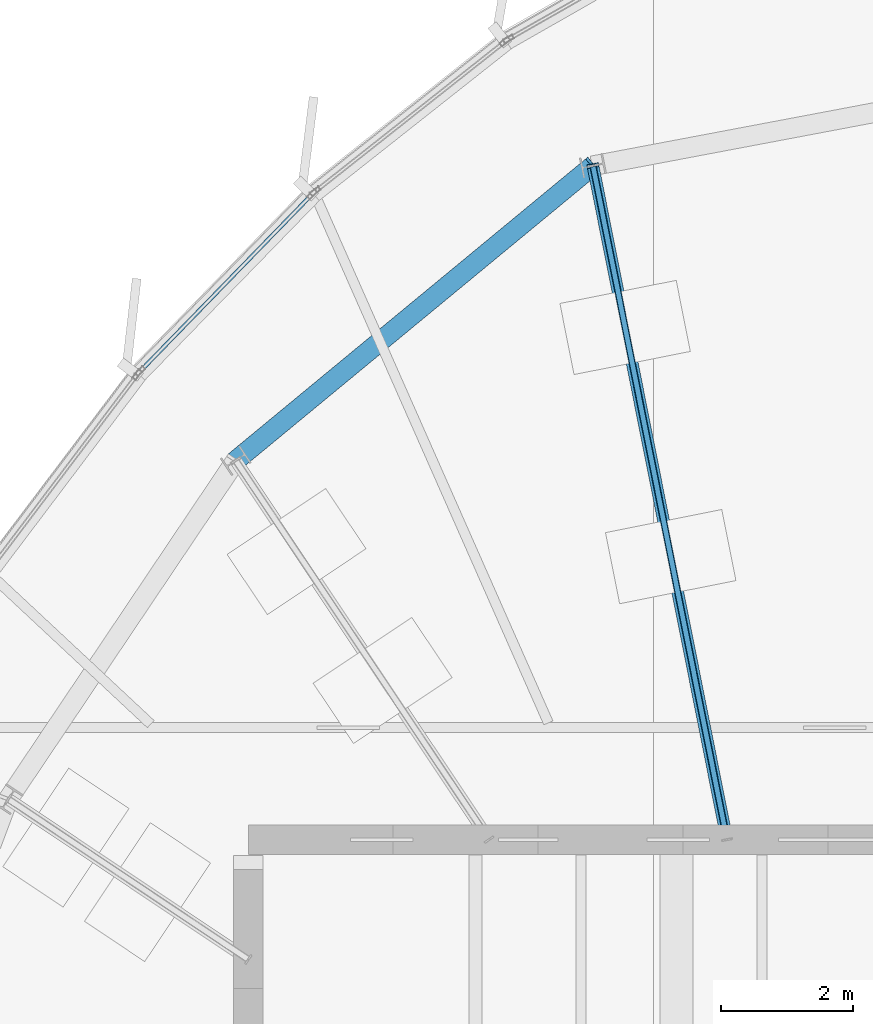
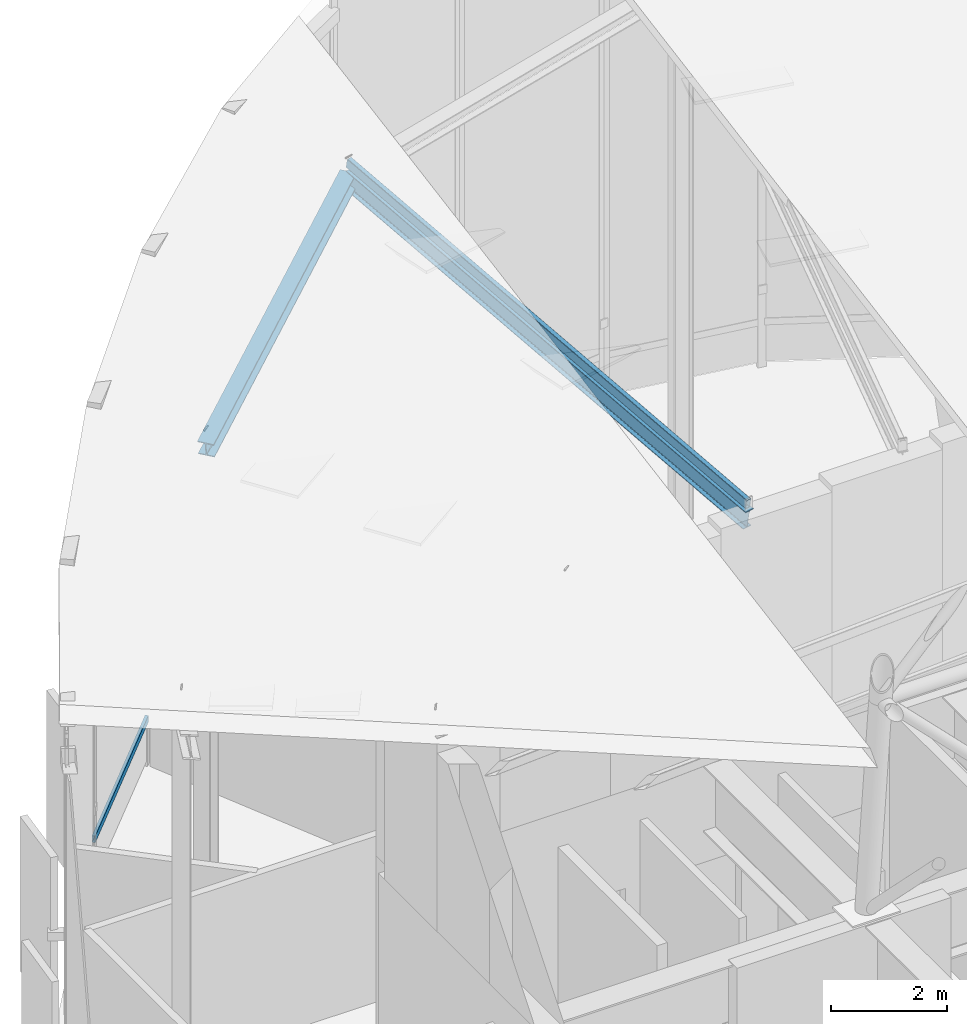
# One storey, part 18 of 36: 2 beams, 2 members, 1 element without a shape of its own.
"""IFC4 building model written with IfcOpenShell, lengths in metres."""

from ifc_helpers import new_model, si_unit, direction, frame, origin, origin_2d, place, context, subcontext, project, spatial, hollow_rectangle, i_section, extrude, source, transform, mapped, material, layer, layer_set, material_profile, profile_set, type_object, element, aggregate, save


model = new_model("IFC4")

# Units and contexts
model_context = context("Model", 3, precision=1e-05, world=origin(), true_north=direction((0.0, 1.0)))
body_context = subcontext(model_context, "Body", "Model", "MODEL_VIEW")
ifc_project = project(units=[si_unit("LENGTHUNIT", "METRE"), si_unit("AREAUNIT", "SQUARE_METRE"), si_unit("VOLUMEUNIT", "CUBIC_METRE"), si_unit("PLANEANGLEUNIT", "RADIAN"), si_unit("MASSUNIT", "GRAM", prefix="KILO"), si_unit("THERMODYNAMICTEMPERATUREUNIT", "KELVIN")], contexts=[model_context])

# Site, building, storey
site_placement = place(None, origin())
site = spatial("IfcSite", under=ifc_project, at=site_placement, CompositionType="ELEMENT")
building_placement = place(site_placement, origin())
building = spatial("IfcBuilding", under=site, at=building_placement, Name="Kethvar Cultural Tower", CompositionType="ELEMENT")
storey_placement = place(building_placement, frame((0.0, 0.0, 324.300048828125)))
storey = spatial("IfcBuildingStorey", under=building, at=storey_placement, Name="L86", CompositionType="ELEMENT", Elevation=324.300048828125)

# Beams
ifc_material_1 = material(Name="Steel S355J2", Category="steel")
ifc_material_profile_1 = material_profile(ifc_material_1, i_section(OverallWidth=0.179931640625, OverallDepth=0.39990234375, WebThickness=0.008544921875, FlangeThickness=0.013427734375, FilletRadius=0.02099609375, at=origin_2d()), Name="Steel S355J2 — IPE400")
ifc_profile_set_1 = profile_set([ifc_material_profile_1], Name="Steel S355J2 — IPE400")
beam_type_1 = type_object("IfcBeamType", Name="BM-IPE400", PredefinedType="BEAM", material=ifc_profile_set_1)
shared_shape_1 = source(origin(), body_context, "Body", "SweptSolid", [
    extrude(i_section(OverallWidth=0.179931640625, OverallDepth=0.39990234375, WebThickness=0.008544921875, FlangeThickness=0.013427734375, FilletRadius=0.02099609375, at=origin_2d()), origin(), (0.0, 0.0, 1.0), 10.56787109375),
])
beam_1_placement = place(storey_placement, frame((45.268310546875, 35.5, 8.877197265625), z_axis=(-0.192602065855, 0.968254502111, 0.159335066355), x_axis=(-0.980784452673, -0.195094483249, 0.0)))
element("IfcBeam", 1, at=beam_1_placement, inside=storey, type_object=beam_type_1, Name="Crown Sloped Radial Rafter RB-05", PredefinedType="BEAM", context=body_context, shape_type="MappedRepresentation", body=[
    mapped(shared_shape_1, transform((0.0, 0.0, 0.0), scale=1.0)),
])
ifc_material_profile_2 = material_profile(ifc_material_1, i_section(OverallWidth=0.300048828125, OverallDepth=0.300048828125, WebThickness=0.010986328125, FlangeThickness=0.01904296875, FilletRadius=0.027099609375, at=origin_2d()), Name="Steel S355J2 — HEB300")
ifc_profile_set_2 = profile_set([ifc_material_profile_2], Name="Steel S355J2 — HEB300")
beam_type_2 = type_object("IfcBeamType", Name="BM-SP300", PredefinedType="SPANDREL", material=ifc_profile_set_2)
shared_shape_2 = source(origin(), body_context, "Body", "SweptSolid", [
    extrude(i_section(OverallWidth=0.300048828125, OverallDepth=0.300048828125, WebThickness=0.010986328125, FlangeThickness=0.01904296875, FilletRadius=0.027099609375, at=origin_2d()), origin(), (0.0, 0.0, 1.0), 7.117919921875),
])
beam_2_placement = place(storey_placement, frame((43.23291015625, 45.732421875, 10.56103515625), z_axis=(-0.761936274733, -0.629024459454, -0.154212005546), x_axis=(0.636640087391, -0.771161072103, 0.0)))
element("IfcBeam", 2, at=beam_2_placement, inside=storey, type_object=beam_type_2, Name="Crown Sloped Eave Ring Beam SP-05", PredefinedType="SPANDREL", context=body_context, shape_type="MappedRepresentation", body=[
    mapped(shared_shape_2, transform((0.0, 0.0, 0.0), scale=1.0)),
])

# Member
ifc_material_profile_3 = material_profile(ifc_material_1, hollow_rectangle(XDim=0.10009765625, YDim=0.199951171875, WallThickness=0.008056640625, InnerFilletRadius=0.008056640625, OuterFilletRadius=0.01611328125, at=origin_2d()), Name="Steel S355J2 — RHS200x100x8")
ifc_profile_set_3 = profile_set([ifc_material_profile_3], Name="Steel S355J2 — RHS200x100x8")
member_type_1 = type_object("IfcMemberType", Name="MB-GLAZ-200", PredefinedType="PURLIN", material=ifc_profile_set_3)
shared_shape_3 = source(origin(), body_context, "Body", "SweptSolid", [
    extrude(hollow_rectangle(XDim=0.10009765625, YDim=0.199951171875, WallThickness=0.008056640625, InnerFilletRadius=0.008056640625, OuterFilletRadius=0.01611328125, at=origin_2d()), origin(), (0.0, 0.0, 1.0), 10.56787109375),
])
member_1_placement = place(storey_placement, frame((45.268310546875, 35.5, 9.197265625), z_axis=(-0.192602065855, 0.968254502111, 0.159335066355), x_axis=(-0.980784452673, -0.195094483249, 0.0)))
element("IfcMember", 3, at=member_1_placement, inside=storey, type_object=member_type_1, Name="Sloped Crown Skylight Glazing Mullion Bar GB-05", PredefinedType="PURLIN", context=body_context, shape_type="MappedRepresentation", body=[
    mapped(shared_shape_3, transform((0.0, 0.0, 0.0), scale=1.0)),
])

# Curtain wall, member
ifc_material_2 = material(Name="Aluminium 6063-T6", Category="aluminium")
ifc_layer = layer(ifc_material_2, 0.179931640625, Name="Aluminium 6063-T6", Category="aluminium")
ifc_layer_set = layer_set([ifc_layer], Name="Aluminium 6063-T6 (180 mm)")
curtain_wall_type = type_object("IfcCurtainWallType", Name="CW-SYS-06-CROWN", PredefinedType="NOTDEFINED", material=ifc_layer_set)
curtain_wall_placement = place(storey_placement, origin())
curtain_wall = element("IfcCurtainWall", 4, at=curtain_wall_placement, inside=storey, type_object=curtain_wall_type, Name="L86 Curtain Wall Run 06", PredefinedType="NOTDEFINED")
ifc_material_profile_4 = material_profile(ifc_material_2, hollow_rectangle(XDim=0.06005859375, YDim=0.139892578125, WallThickness=0.0048828125, at=origin_2d()), Name="Aluminium 6063-T6 — RHS140x60x5")
ifc_profile_set_4 = profile_set([ifc_material_profile_4], Name="Aluminium 6063-T6 — RHS140x60x5")
member_type_2 = type_object("IfcMemberType", Name="CW-SYS-06-CROWN-TRN", PredefinedType="USERDEFINED", material=ifc_profile_set_4)
shared_shape_4 = source(origin(), body_context, "Body", "SweptSolid", [
    extrude(hollow_rectangle(XDim=0.06005859375, YDim=0.139892578125, WallThickness=0.0048828125, at=origin_2d()), origin(), (0.0, 0.0, 1.0), 3.73681640625),
])
member_2_placement = place(storey_placement, frame((38.9638671875, 45.293212890625, 0.949951171875), z_axis=(-0.696841383932, -0.717225268405, 0.0), x_axis=(0.717225268405, -0.696841383932, 0.0)))
member_2 = element("IfcMember", 5, at=member_2_placement, type_object=member_type_2, Name="CW-L86-R06 Transom 1", ObjectType="TRANSOM", PredefinedType="USERDEFINED", context=body_context, shape_type="MappedRepresentation", body=[
    mapped(shared_shape_4, transform((0.0, 0.0, 0.0), scale=1.0)),
])
aggregate(curtain_wall, [member_2])

save(model, "model.ifc")
